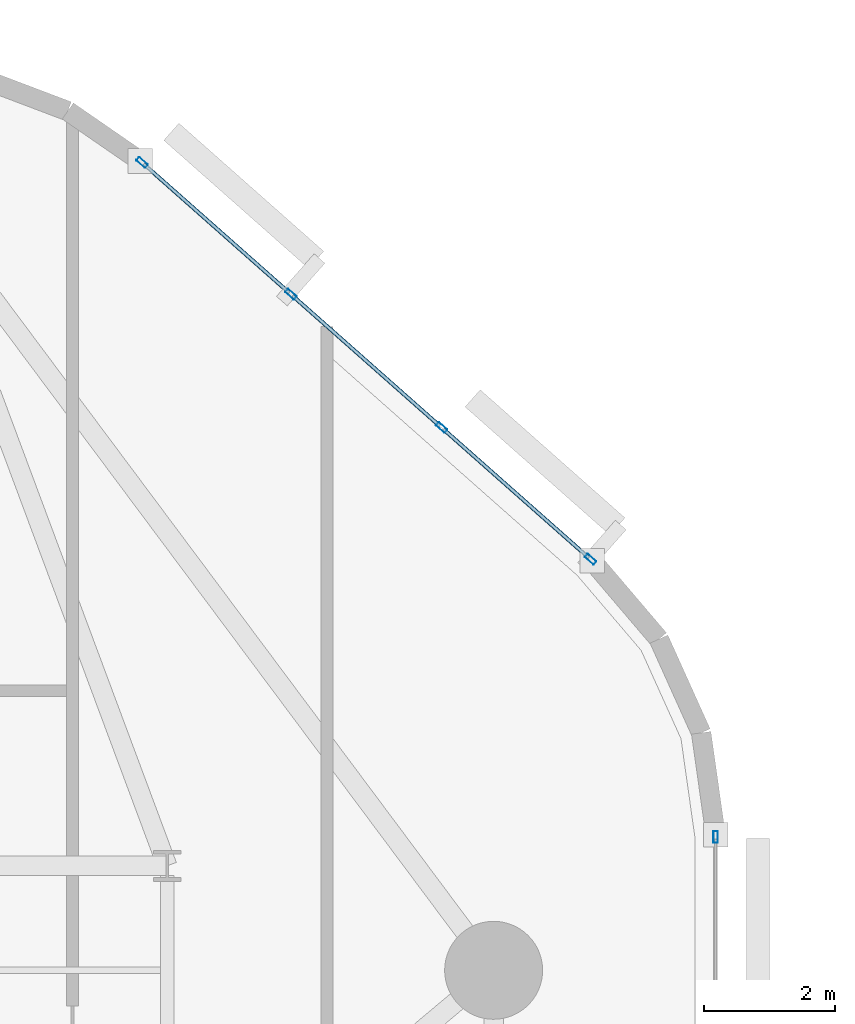
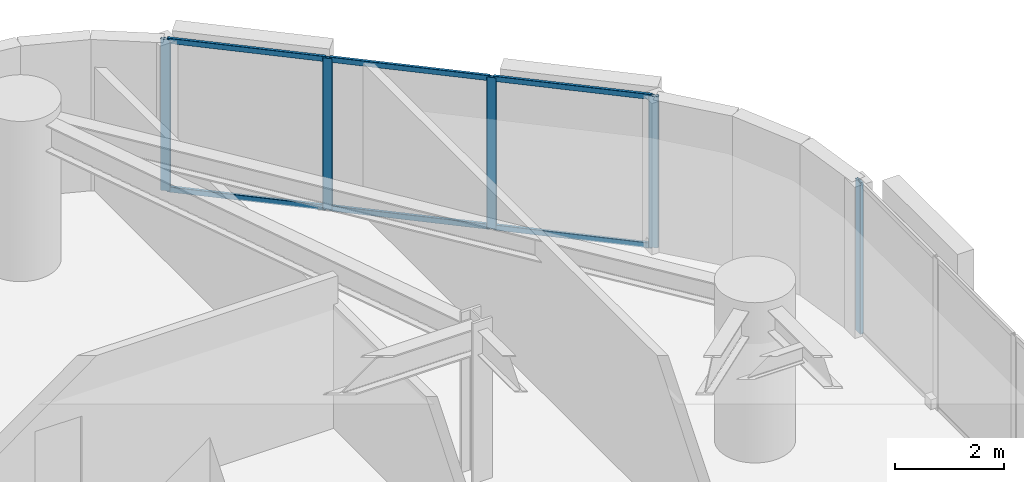
# One storey, part 8 of 15: 11 members, 2 elements without a shape of their own.
"""IFC4 building model written with IfcOpenShell, lengths in metres."""

from ifc_helpers import new_model, si_unit, direction, frame, origin, origin_2d, place, context, subcontext, project, spatial, hollow_rectangle, extrude, material, layer, layer_set, material_profile, profile_set, type_object, element, aggregate, save


model = new_model("IFC4")

# Units and contexts
model_context = context("Model", 3, precision=1e-05, world=origin(), true_north=direction((0.0, 1.0)))
body_context = subcontext(model_context, "Body", "Model", "MODEL_VIEW")
ifc_project = project(units=[si_unit("LENGTHUNIT", "METRE"), si_unit("AREAUNIT", "SQUARE_METRE"), si_unit("VOLUMEUNIT", "CUBIC_METRE"), si_unit("PLANEANGLEUNIT", "RADIAN"), si_unit("MASSUNIT", "GRAM", prefix="KILO")], contexts=[model_context])

# Site, building, storey
site_placement = place(None, origin())
site = spatial("IfcSite", under=ifc_project, at=site_placement, CompositionType="ELEMENT")
building_placement = place(site_placement, origin())
building = spatial("IfcBuilding", under=site, at=building_placement, Name="An Khanh Terracotta Commons", CompositionType="ELEMENT")
storey_placement = place(building_placement, frame((0.0, 0.0, 61.199951171875)))
storey = spatial("IfcBuildingStorey", under=building, at=storey_placement, Name="L16", CompositionType="ELEMENT", Elevation=61.199951171875)

# Curtain wall, member
ifc_material = material(Name="Anodised Aluminium 6063-T6", Category="aluminium")
ifc_layer = layer(ifc_material, 0.199951171875, Name="Anodised Aluminium 6063-T6")
ifc_layer_set = layer_set([ifc_layer], Name="Anodised Aluminium 6063-T6")
curtain_wall_type = type_object("IfcCurtainWallType", Name="CW-SYS-02", PredefinedType="USERDEFINED", material=ifc_layer_set)
curtain_wall_1_placement = place(storey_placement, origin())
curtain_wall_1 = element("IfcCurtainWall", 1, at=curtain_wall_1_placement, inside=storey, type_object=curtain_wall_type, Name="L16 CW-02 Unitised Curtain Wall CW-L16-12", ObjectType="UNITISED CURTAIN WALL", PredefinedType="USERDEFINED")
ifc_material_profile_1 = material_profile(ifc_material, hollow_rectangle(XDim=0.070068359375, YDim=0.179931640625, WallThickness=0.00390625, InnerFilletRadius=0.00390625, OuterFilletRadius=0.008056640625, at=origin_2d()), Name="RHS180x70x4")
ifc_profile_set_1 = profile_set([ifc_material_profile_1], Name="Anodised Aluminium 6063-T6")
member_type_1 = type_object("IfcMemberType", Name="CWM-RHS180x70x4", PredefinedType="MULLION", material=ifc_profile_set_1)
member_1_placement = place(storey_placement, frame((51.60009765625, 34.0419921875, 0.0), z_axis=(0.0, 0.0, 1.0), x_axis=(-1.0, 0.0, 0.0)))
member_1 = element("IfcMember", 2, at=member_1_placement, type_object=member_type_1, Name="CW-02 mullion 8", PredefinedType="MULLION", context=body_context, shape_type="SweptSolid", body=[
    extrude(hollow_rectangle(XDim=0.070068359375, YDim=0.179931640625, WallThickness=0.00390625, InnerFilletRadius=0.00390625, OuterFilletRadius=0.008056640625, at=origin_2d()), origin(), (0.0, 0.0, 1.0), 3.400146484375),
])
aggregate(curtain_wall_1, [member_1])

# Curtain wall, members
curtain_wall_2_placement = place(storey_placement, origin())
curtain_wall_2 = element("IfcCurtainWall", 3, at=curtain_wall_2_placement, inside=storey, type_object=curtain_wall_type, Name="L16 CW-02 Unitised Curtain Wall CW-L16-16", ObjectType="UNITISED CURTAIN WALL", PredefinedType="USERDEFINED")
member_2_placement = place(storey_placement, frame((49.683837890625, 38.295166015625, 0.0), z_axis=(0.0, 0.0, 1.0), x_axis=(-0.662548195415, -0.749019284633, 0.0)))
member_2 = element("IfcMember", 4, at=member_2_placement, type_object=member_type_1, Name="CW-02 mullion 1", PredefinedType="MULLION", context=body_context, shape_type="SweptSolid", body=[
    extrude(hollow_rectangle(XDim=0.070068359375, YDim=0.179931640625, WallThickness=0.00390625, InnerFilletRadius=0.00390625, OuterFilletRadius=0.008056640625, at=origin_2d()), origin(), (0.0, 0.0, 1.0), 3.400146484375),
])
member_3_placement = place(storey_placement, frame((47.403076171875, 40.312744140625, 0.0), z_axis=(0.0, 0.0, 1.0), x_axis=(-0.662548195415, -0.749019284633, 0.0)))
member_3 = element("IfcMember", 5, at=member_3_placement, type_object=member_type_1, Name="CW-02 mullion 2", PredefinedType="MULLION", context=body_context, shape_type="SweptSolid", body=[
    extrude(hollow_rectangle(XDim=0.070068359375, YDim=0.179931640625, WallThickness=0.00390625, InnerFilletRadius=0.00390625, OuterFilletRadius=0.008056640625, at=origin_2d()), origin(), (0.0, 0.0, 1.0), 3.400146484375),
])
member_4_placement = place(storey_placement, frame((45.095947265625, 42.353271484375, 0.0), z_axis=(0.0, 0.0, 1.0), x_axis=(-0.662548195415, -0.749019284633, 0.0)))
member_4 = element("IfcMember", 6, at=member_4_placement, type_object=member_type_1, Name="CW-02 mullion 3", PredefinedType="MULLION", context=body_context, shape_type="SweptSolid", body=[
    extrude(hollow_rectangle(XDim=0.070068359375, YDim=0.179931640625, WallThickness=0.00390625, InnerFilletRadius=0.00390625, OuterFilletRadius=0.008056640625, at=origin_2d()), origin(), (0.0, 0.0, 1.0), 3.400146484375),
])
member_5_placement = place(storey_placement, frame((42.815185546875, 44.370849609375, 0.0), z_axis=(0.0, 0.0, 1.0), x_axis=(-0.662548195415, -0.749019284633, 0.0)))
member_5 = element("IfcMember", 7, at=member_5_placement, type_object=member_type_1, Name="CW-02 mullion 4", PredefinedType="MULLION", context=body_context, shape_type="SweptSolid", body=[
    extrude(hollow_rectangle(XDim=0.070068359375, YDim=0.179931640625, WallThickness=0.00390625, InnerFilletRadius=0.00390625, OuterFilletRadius=0.008056640625, at=origin_2d()), origin(), (0.0, 0.0, 1.0), 3.400146484375),
])
ifc_material_profile_2 = material_profile(ifc_material, hollow_rectangle(XDim=0.06005859375, YDim=0.1201171875, WallThickness=0.003662109375, InnerFilletRadius=0.003662109375, OuterFilletRadius=0.007080078125, at=origin_2d()), Name="RHS120x60x3.6")
ifc_profile_set_2 = profile_set([ifc_material_profile_2], Name="Anodised Aluminium 6063-T6")
member_type_2 = type_object("IfcMemberType", Name="CWT-RHS120x60x3.6", PredefinedType="USERDEFINED", material=ifc_profile_set_2)
member_6_placement = place(storey_placement, frame((49.657470703125, 38.318359375, 0.030029296875), z_axis=(-0.74899186341, 0.662579194168, 0.0), x_axis=(-0.662579194168, -0.74899186341, 0.0)))
member_6 = element("IfcMember", 8, at=member_6_placement, type_object=member_type_2, Name="CW-02 transom 1.1", ObjectType="TRANSOM", PredefinedType="USERDEFINED", context=body_context, shape_type="SweptSolid", body=[
    extrude(hollow_rectangle(XDim=0.06005859375, YDim=0.1201171875, WallThickness=0.003662109375, InnerFilletRadius=0.003662109375, OuterFilletRadius=0.007080078125, at=origin_2d()), origin(), (0.0, 0.0, 1.0), 2.97509765625),
])
member_7_placement = place(storey_placement, frame((49.657470703125, 38.318359375, 3.3701171875), z_axis=(-0.74899186341, 0.662579194168, 0.0), x_axis=(-0.662579194168, -0.74899186341, 0.0)))
member_7 = element("IfcMember", 9, at=member_7_placement, type_object=member_type_2, Name="CW-02 transom 1.2", ObjectType="TRANSOM", PredefinedType="USERDEFINED", context=body_context, shape_type="SweptSolid", body=[
    extrude(hollow_rectangle(XDim=0.06005859375, YDim=0.1201171875, WallThickness=0.003662109375, InnerFilletRadius=0.003662109375, OuterFilletRadius=0.007080078125, at=origin_2d()), origin(), (0.0, 0.0, 1.0), 2.97509765625),
])
member_8_placement = place(storey_placement, frame((47.376708984375, 40.3359375, 0.030029296875), z_axis=(-0.749018237701, 0.662549378984, 0.0), x_axis=(-0.662549378984, -0.749018237701, 0.0)))
member_8 = element("IfcMember", 10, at=member_8_placement, type_object=member_type_2, Name="CW-02 transom 2.1", ObjectType="TRANSOM", PredefinedType="USERDEFINED", context=body_context, shape_type="SweptSolid", body=[
    extrude(hollow_rectangle(XDim=0.06005859375, YDim=0.1201171875, WallThickness=0.003662109375, InnerFilletRadius=0.003662109375, OuterFilletRadius=0.007080078125, at=origin_2d()), origin(), (0.0, 0.0, 1.0), 3.009765625),
])
member_9_placement = place(storey_placement, frame((47.376708984375, 40.3359375, 3.3701171875), z_axis=(-0.749018237701, 0.662549378984, 0.0), x_axis=(-0.662549378984, -0.749018237701, 0.0)))
member_9 = element("IfcMember", 11, at=member_9_placement, type_object=member_type_2, Name="CW-02 transom 2.2", ObjectType="TRANSOM", PredefinedType="USERDEFINED", context=body_context, shape_type="SweptSolid", body=[
    extrude(hollow_rectangle(XDim=0.06005859375, YDim=0.1201171875, WallThickness=0.003662109375, InnerFilletRadius=0.003662109375, OuterFilletRadius=0.007080078125, at=origin_2d()), origin(), (0.0, 0.0, 1.0), 3.009765625),
])
member_10_placement = place(storey_placement, frame((45.06982421875, 42.37646484375, 0.030029296875), z_axis=(-0.74899186341, 0.662579194168, 0.0), x_axis=(-0.662579194168, -0.74899186341, 0.0)))
member_10 = element("IfcMember", 12, at=member_10_placement, type_object=member_type_2, Name="CW-02 transom 3.1", ObjectType="TRANSOM", PredefinedType="USERDEFINED", context=body_context, shape_type="SweptSolid", body=[
    extrude(hollow_rectangle(XDim=0.06005859375, YDim=0.1201171875, WallThickness=0.003662109375, InnerFilletRadius=0.003662109375, OuterFilletRadius=0.007080078125, at=origin_2d()), origin(), (0.0, 0.0, 1.0), 2.97509765625),
])
member_11_placement = place(storey_placement, frame((45.06982421875, 42.37646484375, 3.3701171875), z_axis=(-0.74899186341, 0.662579194168, 0.0), x_axis=(-0.662579194168, -0.74899186341, 0.0)))
member_11 = element("IfcMember", 13, at=member_11_placement, type_object=member_type_2, Name="CW-02 transom 3.2", ObjectType="TRANSOM", PredefinedType="USERDEFINED", context=body_context, shape_type="SweptSolid", body=[
    extrude(hollow_rectangle(XDim=0.06005859375, YDim=0.1201171875, WallThickness=0.003662109375, InnerFilletRadius=0.003662109375, OuterFilletRadius=0.007080078125, at=origin_2d()), origin(), (0.0, 0.0, 1.0), 2.97509765625),
])
aggregate(curtain_wall_2, [member_2, member_3, member_4, member_5, member_6, member_7, member_8, member_9, member_10, member_11])

save(model, "model.ifc")
